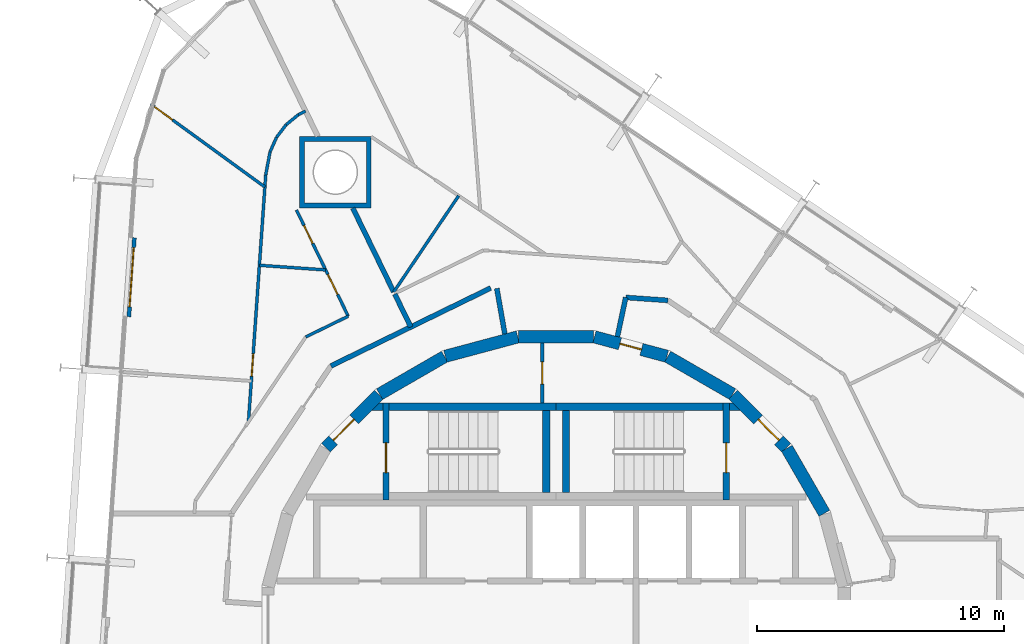
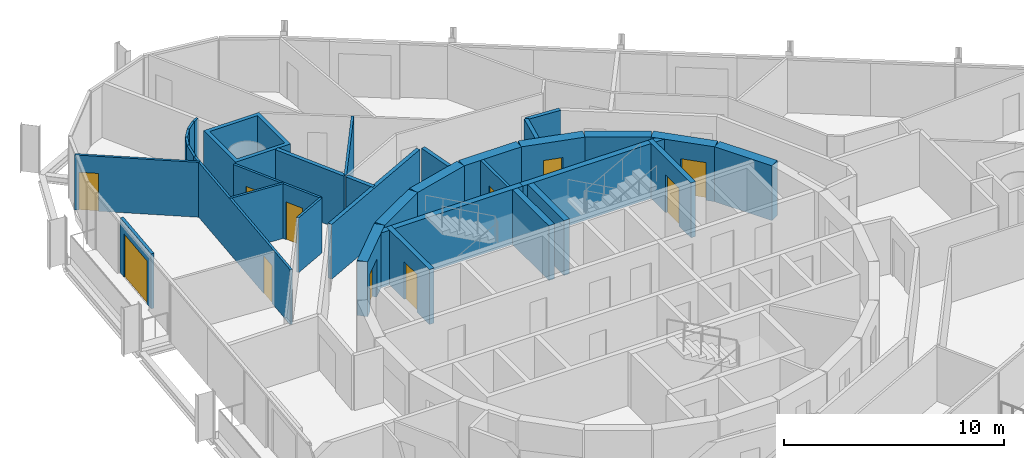
# One storey, part 15 of 17: 36 walls, 11 doors, 11 openings.
"""IFC4 building model written with IfcOpenShell, lengths in metres."""

from ifc_helpers import new_model, si_unit, direction, frame, frame_2d, origin, place, context, subcontext, project, spatial, polyline, rectangle, outline, extrude, material, layer, layer_set, type_object, element, fill, save


model = new_model("IFC4")

# Units and contexts
model_context = context("Model", 3, precision=1e-05, world=origin(), true_north=direction((0.0, 1.0)))
body_context = subcontext(model_context, "Body", "Model", "MODEL_VIEW")
ifc_project = project(units=[si_unit("LENGTHUNIT", "METRE"), si_unit("AREAUNIT", "SQUARE_METRE"), si_unit("VOLUMEUNIT", "CUBIC_METRE"), si_unit("PLANEANGLEUNIT", "RADIAN"), si_unit("MASSUNIT", "GRAM", prefix="KILO")], contexts=[model_context])

# Site, building, storey
site_placement = place(None, origin())
site = spatial("IfcSite", under=ifc_project, at=site_placement, CompositionType="ELEMENT")
building_placement = place(site_placement, origin())
building = spatial("IfcBuilding", under=site, at=building_placement, Name="Spindle Arch Residences", CompositionType="ELEMENT")
storey_placement = place(building_placement, frame((0.0, 0.0, 216.39990234375)))
storey = spatial("IfcBuildingStorey", under=building, at=storey_placement, Name="L55", CompositionType="ELEMENT", Elevation=216.39990234375)

# Wall
ifc_material_1 = material(Name="Concrete C50/60", Category="concrete")
ifc_layer_1 = layer(ifc_material_1, 0.5)
ifc_layer_set_1 = layer_set([ifc_layer_1], Name="Core outline wall 500")
wall_type_1 = type_object("IfcWallType", Name="Core outline wall 500", PredefinedType="SHEAR", material=ifc_layer_set_1)
wall_1_placement = place(storey_placement, frame((10.84521484375, 4.510498046875, 0.0), z_axis=(0.0, 0.0, 1.0), x_axis=(-0.500087131594, 0.865975092491, 0.0)))
element("IfcWall", 1, at=wall_1_placement, inside=storey, type_object=wall_type_1, Name="Core outline wall 8", PredefinedType="SHEAR", context=body_context, shape_type="SweptSolid", body=[
    extrude(rectangle(XDim=3.03271484375, YDim=0.5, at=frame_2d((1.516357421875, 0.0))), origin(), (0.0, 0.0, 1.0), 3.050048828125),
])

# Wall, opening, door
wall_2_placement = place(storey_placement, frame((9.30810546875, 7.163818359375, 0.0), z_axis=(0.0, 0.0, 1.0), x_axis=(-0.707106781187, 0.707106781187, 0.0)))
wall_2 = element("IfcWall", 2, at=wall_2_placement, inside=storey, type_object=wall_type_1, Name="Core outline wall 9", PredefinedType="SHEAR", context=body_context, shape_type="SweptSolid", body=[
    extrude(rectangle(XDim=3.032470703125, YDim=0.5, at=frame_2d((1.51611328125, 0.0))), origin(), (0.0, 0.0, 1.0), 3.050048828125),
])
opening_1_placement = place(wall_2_placement, frame((0.416259765625, 0.0, 0.0)))
opening_1 = element("IfcOpeningElement", 3, at=opening_1_placement, cuts=wall_2, Name="Opening R5C0-AD01", PredefinedType="OPENING", context=body_context, shape_type="SweptSolid", body=[
    extrude(rectangle(XDim=1.199951171875, YDim=2.10009765625, at=frame_2d((0.60009765625, 1.050048828125))), frame((0.0, 0.260009765625, 0.0), z_axis=(0.0, -1.0, 0.0), x_axis=(1.0, 0.0, 0.0)), (0.0, 0.0, 1.0), 0.52001953125),
])
ifc_material_2 = material(Name="Steel, fire-resisting door", Category="steel")
door_type_1 = type_object("IfcDoorType", Name="Stair airlock door 1200x2100", OperationType="SINGLE_SWING_LEFT", PredefinedType="DOOR", material=ifc_material_2)
door_1_placement = place(opening_1_placement, origin())
door_1 = element("IfcDoor", 4, at=door_1_placement, inside=storey, type_object=door_type_1, Name="Stair airlock door R5C0-AD01", OperationType="SINGLE_SWING_RIGHT", OverallHeight=2.10009765625, OverallWidth=1.199951171875, PredefinedType="DOOR", context=body_context, shape_type="SweptSolid", body=[
    extrude(rectangle(XDim=1.199951171875, YDim=2.10009765625, at=frame_2d((0.60009765625, 1.050048828125))), frame((0.0, 0.02490234375, 0.0), z_axis=(0.0, -1.0, 0.0), x_axis=(1.0, 0.0, 0.0)), (0.0, 0.0, 1.0), 0.050048828125),
])
fill(opening_1, door_1)

# Wall
wall_3_placement = place(storey_placement, frame((7.13671875, 9.32861328125, 0.0), z_axis=(0.0, 0.0, 1.0), x_axis=(-0.865975092491, 0.500087131594, 0.0)))
element("IfcWall", 5, at=wall_3_placement, inside=storey, type_object=wall_type_1, Name="Core outline wall 10", PredefinedType="SHEAR", context=body_context, shape_type="SweptSolid", body=[
    extrude(rectangle(XDim=3.03271484375, YDim=0.5, at=frame_2d((1.516357421875, 0.0))), origin(), (0.0, 0.0, 1.0), 3.050048828125),
])

# Wall, opening, door
wall_4_placement = place(storey_placement, frame((4.479248046875, 10.858154296875, 0.0), z_axis=(0.0, 0.0, 1.0), x_axis=(-0.965948410781, 0.258734743916, 0.0)))
wall_4 = element("IfcWall", 6, at=wall_4_placement, inside=storey, type_object=wall_type_1, Name="Core outline wall 11", PredefinedType="SHEAR", context=body_context, shape_type="SweptSolid", body=[
    extrude(rectangle(XDim=3.03271484375, YDim=0.5, at=frame_2d((1.516357421875, 0.0))), origin(), (0.0, 0.0, 1.0), 3.050048828125),
])
opening_2_placement = place(wall_4_placement, frame((1.066162109375, 0.0, 0.0)))
opening_2 = element("IfcOpeningElement", 7, at=opening_2_placement, cuts=wall_4, Name="Opening R5C0-WD10", PredefinedType="OPENING", context=body_context, shape_type="SweptSolid", body=[
    extrude(rectangle(XDim=0.89990234375, YDim=2.10009765625, at=frame_2d((0.449951171875, 1.050048828125))), frame((0.0, 0.260009765625, 0.0), z_axis=(0.0, -1.0, 0.0), x_axis=(1.0, 0.0, 0.0)), (0.0, 0.0, 1.0), 0.52001953125),
])
ifc_material_3 = material(Name="Steel, fire-resisting door", Category="steel")
door_type_2 = type_object("IfcDoorType", Name="Service room door 900x2100", OperationType="SINGLE_SWING_LEFT", PredefinedType="DOOR", material=ifc_material_3)
door_2_placement = place(opening_2_placement, origin())
door_2 = element("IfcDoor", 8, at=door_2_placement, inside=storey, type_object=door_type_2, Name="Service room door R5C0-WD10", OperationType="SINGLE_SWING_RIGHT", OverallHeight=2.10009765625, OverallWidth=0.89990234375, PredefinedType="DOOR", context=body_context, shape_type="SweptSolid", body=[
    extrude(rectangle(XDim=0.89990234375, YDim=2.10009765625, at=frame_2d((0.449951171875, 1.050048828125))), frame((0.0, 0.02490234375, 0.0), z_axis=(0.0, -1.0, 0.0), x_axis=(1.0, 0.0, 0.0)), (0.0, 0.0, 1.0), 0.050048828125),
])
fill(opening_2, door_2)

# Walls
for number, where, z_axis, x_axis, name in (
    (9, (1.516357421875, 11.647216796875, 0.0), (0.0, 0.0, 1.0), (-1.0, 0.0, 0.0), "Core outline wall 12"),
    (10, (-1.5498046875, 11.642822265625, 0.0), (0.0, 0.0, 1.0), (-0.965948410781, -0.258734743916, 0.0), "Core outline wall 13"),
    (11, (-4.510498046875, 10.84521484375, 0.0), (0.0, 0.0, 1.0), (-0.865975092491, -0.500087131594, 0.0), "Core outline wall 14"),
):
    element("IfcWall", number, at=place(storey_placement, frame(where, z_axis=z_axis, x_axis=x_axis)), inside=storey, type_object=wall_type_1, Name=name, PredefinedType="SHEAR", context=body_context, shape_type="SweptSolid", body=[
        extrude(rectangle(XDim=3.03271484375, YDim=0.5, at=frame_2d((1.516357421875, 0.0))), origin(), (0.0, 0.0, 1.0), 3.050048828125),
    ])

# Wall, opening, door
wall_5_placement = place(storey_placement, frame((-7.163818359375, 9.30810546875, 0.0), z_axis=(0.0, 0.0, 1.0), x_axis=(-0.707106781187, -0.707106781187, 0.0)))
wall_5 = element("IfcWall", 12, at=wall_5_placement, inside=storey, type_object=wall_type_1, Name="Core outline wall 15", PredefinedType="SHEAR", context=body_context, shape_type="SweptSolid", body=[
    extrude(rectangle(XDim=3.032470703125, YDim=0.5, at=frame_2d((1.51611328125, 0.0))), origin(), (0.0, 0.0, 1.0), 3.050048828125),
])
opening_3_placement = place(wall_5_placement, frame((1.416259765625, 0.0, 0.0)))
opening_3 = element("IfcOpeningElement", 13, at=opening_3_placement, cuts=wall_5, Name="Opening R5C0-AD02", PredefinedType="OPENING", context=body_context, shape_type="SweptSolid", body=[
    extrude(rectangle(XDim=1.199951171875, YDim=2.10009765625, at=frame_2d((0.60009765625, 1.050048828125))), frame((0.0, 0.260009765625, 0.0), z_axis=(0.0, -1.0, 0.0), x_axis=(1.0, 0.0, 0.0)), (0.0, 0.0, 1.0), 0.52001953125),
])
door_3_placement = place(opening_3_placement, origin())
door_3 = element("IfcDoor", 14, at=door_3_placement, inside=storey, type_object=door_type_1, Name="Stair airlock door R5C0-AD02", OperationType="SINGLE_SWING_RIGHT", OverallHeight=2.10009765625, OverallWidth=1.199951171875, PredefinedType="DOOR", context=body_context, shape_type="SweptSolid", body=[
    extrude(rectangle(XDim=1.199951171875, YDim=2.10009765625, at=frame_2d((0.60009765625, 1.050048828125))), frame((0.0, 0.02490234375, 0.0), z_axis=(0.0, -1.0, 0.0), x_axis=(1.0, 0.0, 0.0)), (0.0, 0.0, 1.0), 0.050048828125),
])
fill(opening_3, door_3)

# Walls
ifc_material_4 = material(Name="Calcium silicate block, plastered")
ifc_layer_2 = layer(ifc_material_4, 0.199951171875)
ifc_layer_set_2 = layer_set([ifc_layer_2], Name="Corridor wall 200")
wall_type_2 = type_object("IfcWallType", Name="Corridor wall 200", PredefinedType="STANDARD", material=ifc_layer_set_2)
wall_6_placement = place(storey_placement, frame((4.5166015625, 13.116943359375, 0.0), z_axis=(0.0, 0.0, 1.0), x_axis=(-0.997562153664, 0.069783591025, 0.0)))
element("IfcWall", 15, at=wall_6_placement, inside=storey, type_object=wall_type_2, Name="Corridor wall R5C0-W006", PredefinedType="STANDARD", context=body_context, shape_type="SweptSolid", body=[
    extrude(rectangle(XDim=1.707275390625, YDim=0.199951171875, at=frame_2d((0.853515625, 0.0))), origin(), (0.0, 0.0, 1.0), 3.050048828125),
])
wall_7_placement = place(storey_placement, frame((2.8134765625, 13.236083984375, 0.0), z_axis=(0.0, 0.0, 1.0), x_axis=(-0.207911086063, -0.978147729278, 0.0)))
element("IfcWall", 16, at=wall_7_placement, inside=storey, type_object=wall_type_2, Name="Corridor wall R5C0-W007", PredefinedType="STANDARD", context=body_context, shape_type="SweptSolid", body=[
    extrude(rectangle(XDim=1.6181640625, YDim=0.199951171875, at=frame_2d((0.80908203125, 0.0))), origin(), (0.0, 0.0, 1.0), 3.050048828125),
])
wall_8_placement = place(storey_placement, frame((-2.07373046875, 11.76123046875, 0.0), z_axis=(0.0, 0.0, 1.0), x_axis=(-0.173740587112, 0.984791454263, 0.0)))
element("IfcWall", 17, at=wall_8_placement, inside=storey, type_object=wall_type_2, Name="Corridor wall R5C0-W010", PredefinedType="STANDARD", context=body_context, shape_type="SweptSolid", body=[
    extrude(rectangle(XDim=1.867431640625, YDim=0.199951171875, at=frame_2d((0.93359375, 0.0))), origin(), (0.0, 0.0, 1.0), 3.050048828125),
])
wall_9_placement = place(storey_placement, frame((-2.64697265625, 13.617919921875, 0.0), z_axis=(0.0, 0.0, 1.0), x_axis=(-0.898796543751, -0.438366026218, 0.0)))
element("IfcWall", 18, at=wall_9_placement, inside=storey, type_object=wall_type_2, Name="Corridor wall R5C0-W011", PredefinedType="STANDARD", context=body_context, shape_type="SweptSolid", body=[
    extrude(rectangle(XDim=7.18115234375, YDim=0.199951171875, at=frame_2d((3.590576171875, 0.0))), origin(), (0.0, 0.0, 1.0), 3.050048828125),
])
ifc_material_5 = material(Name="Plasterboard on steel studs", Category="steel")
ifc_layer_3 = layer(ifc_material_5, 0.1201171875)
ifc_layer_set_3 = layer_set([ifc_layer_3], Name="Flat partition 120")
wall_type_3 = type_object("IfcWallType", Name="Flat partition 120", PredefinedType="PARTITIONING", material=ifc_layer_set_3)
wall_10_placement = place(storey_placement, frame((-3.939453125, 17.349853515625, 0.0), z_axis=(0.0, 0.0, 1.0), x_axis=(-0.559193216274, -0.829037361566, 0.0)))
element("IfcWall", 19, at=wall_10_placement, inside=storey, type_object=wall_type_3, Name="Flat partition R5C0-W055", PredefinedType="PARTITIONING", context=body_context, shape_type="SweptSolid", body=[
    extrude(rectangle(XDim=4.69384765625, YDim=0.1201171875, at=frame_2d((2.346923828125, 0.0))), origin(), (0.0, 0.0, 1.0), 3.050048828125),
])

# Wall, openings, doors
wall_11_placement = place(storey_placement, frame((-10.5, 16.774658203125, 0.0), z_axis=(0.0, 0.0, 1.0), x_axis=(0.438345136783, -0.898806731761, 0.0)))
wall_11 = element("IfcWall", 20, at=wall_11_placement, inside=storey, type_object=wall_type_3, Name="Flat partition R5C0-W057", PredefinedType="PARTITIONING", context=body_context, shape_type="SweptSolid", body=[
    extrude(rectangle(XDim=4.77978515625, YDim=0.1201171875, at=frame_2d((2.389892578125, 0.0))), origin(), (0.0, 0.0, 1.0), 3.050048828125),
])
opening_4_placement = place(wall_11_placement, frame((0.699951171875, 0.0, 0.0)))
opening_4 = element("IfcOpeningElement", 21, at=opening_4_placement, cuts=wall_11, Name="Opening R5C0-BD03", PredefinedType="OPENING", context=body_context, shape_type="SweptSolid", body=[
    extrude(rectangle(XDim=0.800048828125, YDim=2.10009765625, at=frame_2d((0.39990234375, 1.050048828125))), frame((0.0, 0.070068359375, 0.0), z_axis=(0.0, -1.0, 0.0), x_axis=(1.0, 0.0, 0.0)), (0.0, 0.0, 1.0), 0.14013671875),
])
opening_5_placement = place(wall_11_placement, frame((2.898681640625, 0.0, 0.0)))
opening_5 = element("IfcOpeningElement", 22, at=opening_5_placement, cuts=wall_11, Name="Opening R5C0-ID10", PredefinedType="OPENING", context=body_context, shape_type="SweptSolid", body=[
    extrude(rectangle(XDim=0.89990234375, YDim=2.10009765625, at=frame_2d((0.449951171875, 1.050048828125))), frame((0.0, 0.070068359375, 0.0), z_axis=(0.0, -1.0, 0.0), x_axis=(1.0, 0.0, 0.0)), (0.0, 0.0, 1.0), 0.14013671875),
])
ifc_material_6 = material(Name="Timber door set", Category="wood")
door_type_3 = type_object("IfcDoorType", Name="Bathroom door 800x2100", OperationType="NOTDEFINED", PredefinedType="DOOR", material=ifc_material_6)
door_4_placement = place(opening_4_placement, origin())
door_4 = element("IfcDoor", 23, at=door_4_placement, inside=storey, type_object=door_type_3, Name="Bathroom door R5C0-BD03", OperationType="SINGLE_SWING_LEFT", OverallHeight=2.10009765625, OverallWidth=0.800048828125, PredefinedType="DOOR", context=body_context, shape_type="SweptSolid", body=[
    extrude(rectangle(XDim=0.800048828125, YDim=2.10009765625, at=frame_2d((0.39990234375, 1.050048828125))), frame((0.0, 0.02490234375, 0.0), z_axis=(0.0, -1.0, 0.0), x_axis=(1.0, 0.0, 0.0)), (0.0, 0.0, 1.0), 0.050048828125),
])
fill(opening_4, door_4)
ifc_material_7 = material(Name="Timber door set", Category="wood")
door_type_4 = type_object("IfcDoorType", Name="Room door 900x2100", OperationType="NOTDEFINED", PredefinedType="DOOR", material=ifc_material_7)
door_5_placement = place(opening_5_placement, origin())
door_5 = element("IfcDoor", 24, at=door_5_placement, inside=storey, type_object=door_type_4, Name="Room door R5C0-ID10", OperationType="SINGLE_SWING_LEFT", OverallHeight=2.10009765625, OverallWidth=0.89990234375, PredefinedType="DOOR", context=body_context, shape_type="SweptSolid", body=[
    extrude(rectangle(XDim=0.89990234375, YDim=2.10009765625, at=frame_2d((0.449951171875, 1.050048828125))), frame((0.0, 0.02490234375, 0.0), z_axis=(0.0, -1.0, 0.0), x_axis=(1.0, 0.0, 0.0)), (0.0, 0.0, 1.0), 0.050048828125),
])
fill(opening_5, door_5)

# Wall
wall_12_placement = place(storey_placement, frame((-8.40478515625, 12.478515625, 0.0), z_axis=(0.0, 0.0, 1.0), x_axis=(-0.898784427692, -0.438390867307, 0.0)))
element("IfcWall", 25, at=wall_12_placement, inside=storey, type_object=wall_type_3, Name="Flat partition R5C0-W058", PredefinedType="PARTITIONING", context=body_context, shape_type="SweptSolid", body=[
    extrude(rectangle(XDim=1.908447265625, YDim=0.1201171875, at=frame_2d((0.9541015625, 0.0))), origin(), (0.0, 0.0, 1.0), 3.050048828125),
])

# Wall, opening, door
wall_13_placement = place(storey_placement, frame((-12.438720703125, 8.204345703125, 0.0), z_axis=(0.0, 0.0, 1.0), x_axis=(0.069750037523, 0.997564500303, 0.0)))
wall_13 = element("IfcWall", 26, at=wall_13_placement, inside=storey, type_object=wall_type_3, Name="Flat partition R5C0-W061", PredefinedType="PARTITIONING", context=body_context, shape_type="SweptSolid", body=[
    extrude(rectangle(XDim=10.01416015625, YDim=0.1201171875, at=frame_2d((5.007080078125, 0.0))), origin(), (0.0, 0.0, 1.0), 3.050048828125),
])
opening_6_placement = place(wall_13_placement, frame((1.859130859375, 0.0, 0.0)))
opening_6 = element("IfcOpeningElement", 27, at=opening_6_placement, cuts=wall_13, Name="Opening R5C0-ID12", PredefinedType="OPENING", context=body_context, shape_type="SweptSolid", body=[
    extrude(rectangle(XDim=0.89990234375, YDim=2.10009765625, at=frame_2d((0.449951171875, 1.050048828125))), frame((0.0, 0.070068359375, 0.0), z_axis=(0.0, -1.0, 0.0), x_axis=(1.0, 0.0, 0.0)), (0.0, 0.0, 1.0), 0.14013671875),
])
door_6_placement = place(opening_6_placement, origin())
door_6 = element("IfcDoor", 28, at=door_6_placement, inside=storey, type_object=door_type_4, Name="Room door R5C0-ID12", OperationType="SINGLE_SWING_LEFT", OverallHeight=2.10009765625, OverallWidth=0.89990234375, PredefinedType="DOOR", context=body_context, shape_type="SweptSolid", body=[
    extrude(rectangle(XDim=0.89990234375, YDim=2.10009765625, at=frame_2d((0.449951171875, 1.050048828125))), frame((0.0, 0.02490234375, 0.0), z_axis=(0.0, -1.0, 0.0), x_axis=(1.0, 0.0, 0.0)), (0.0, 0.0, 1.0), 0.050048828125),
])
fill(opening_6, door_6)

# Walls
wall_14_placement = place(storey_placement, frame((-11.740234375, 18.194091796875, 0.0), z_axis=(0.0, 0.0, 1.0), x_axis=(0.185144760846, 0.982711258474, 0.0)))
element("IfcWall", 29, at=wall_14_placement, inside=storey, type_object=wall_type_3, Name="Flat partition R5C0-W062", PredefinedType="PARTITIONING", context=body_context, shape_type="SweptSolid", body=[
    extrude(rectangle(XDim=0.94677734375, YDim=0.1201171875, at=frame_2d((0.473388671875, 0.0))), origin(), (0.0, 0.0, 1.0), 3.050048828125),
])
for number, where, z_axis, x_axis, name in (
    (30, (-11.56494140625, 19.12451171875, 0.0), (0.0, 0.0, 1.0), (0.406597190981, 0.913607532963, 0.0), "Flat partition R5C0-W063"),
    (31, (-11.303955078125, 19.7109375, 0.0), (0.0, 0.0, 1.0), (0.60667331935, 0.794951246045, 0.0), "Flat partition R5C0-W064"),
    (32, (-10.91455078125, 20.22119140625, 0.0), (0.0, 0.0, 1.0), (0.773278980213, 0.634065941965, 0.0), "Flat partition R5C0-W065"),
):
    element("IfcWall", number, at=place(storey_placement, frame(where, z_axis=z_axis, x_axis=x_axis)), inside=storey, type_object=wall_type_3, Name=name, PredefinedType="PARTITIONING", context=body_context, shape_type="SweptSolid", body=[
        extrude(rectangle(XDim=0.641845703125, YDim=0.1201171875, at=frame_2d((0.32080078125, 0.0))), origin(), (0.0, 0.0, 1.0), 3.050048828125),
    ])
wall_15_placement = place(storey_placement, frame((-10.418212890625, 20.628173828125, 0.0), z_axis=(0.0, 0.0, 1.0), x_axis=(0.898943795765, 0.438063981692, 0.0)))
element("IfcWall", 33, at=wall_15_placement, inside=storey, type_object=wall_type_3, Name="Flat partition R5C0-W066", PredefinedType="PARTITIONING", context=body_context, shape_type="SweptSolid", body=[
    extrude(rectangle(XDim=0.321044921875, YDim=0.1201171875, at=frame_2d((0.16064453125, 0.0))), origin(), (0.0, 0.0, 1.0), 3.050048828125),
])

# Wall, opening, door
wall_16_placement = place(storey_placement, frame((-16.39501953125, 21.060791015625, 0.0), z_axis=(0.0, 0.0, 1.0), x_axis=(0.808810002497, -0.58807004673, 0.0)))
wall_16 = element("IfcWall", 34, at=wall_16_placement, inside=storey, type_object=wall_type_3, Name="Flat partition R5C0-W067", PredefinedType="PARTITIONING", context=body_context, shape_type="SweptSolid", body=[
    extrude(rectangle(XDim=5.712646484375, YDim=0.1201171875, at=frame_2d((2.8564453125, 0.0))), origin(), (0.0, 0.0, 1.0), 3.050048828125),
])
opening_7_placement = place(wall_16_placement, frame((0.199951171875, 0.0, 0.0)))
opening_7 = element("IfcOpeningElement", 35, at=opening_7_placement, cuts=wall_16, Name="Opening R5C0-ID13", PredefinedType="OPENING", context=body_context, shape_type="SweptSolid", body=[
    extrude(rectangle(XDim=0.89990234375, YDim=2.10009765625, at=frame_2d((0.449951171875, 1.050048828125))), frame((0.0, 0.070068359375, 0.0), z_axis=(0.0, -1.0, 0.0), x_axis=(1.0, 0.0, 0.0)), (0.0, 0.0, 1.0), 0.14013671875),
])
door_7_placement = place(opening_7_placement, origin())
door_7 = element("IfcDoor", 36, at=door_7_placement, inside=storey, type_object=door_type_4, Name="Room door R5C0-ID13", OperationType="SINGLE_SWING_LEFT", OverallHeight=2.10009765625, OverallWidth=0.89990234375, PredefinedType="DOOR", context=body_context, shape_type="SweptSolid", body=[
    extrude(rectangle(XDim=0.89990234375, YDim=2.10009765625, at=frame_2d((0.449951171875, 1.050048828125))), frame((0.0, 0.02490234375, 0.0), z_axis=(0.0, -1.0, 0.0), x_axis=(1.0, 0.0, 0.0)), (0.0, 0.0, 1.0), 0.050048828125),
])
fill(opening_7, door_7)

# Walls
wall_17_placement = place(storey_placement, frame((-11.99609375, 14.536376953125, 0.0), z_axis=(0.0, 0.0, 1.0), x_axis=(0.997565991425, -0.069728708231, 0.0)))
element("IfcWall", 37, at=wall_17_placement, inside=storey, type_object=wall_type_3, Name="Flat partition R5C0-W068", PredefinedType="PARTITIONING", context=body_context, shape_type="SweptSolid", body=[
    extrude(rectangle(XDim=2.685546875, YDim=0.1201171875, at=frame_2d((1.3427734375, 0.0))), origin(), (0.0, 0.0, 1.0), 3.050048828125),
])
ifc_material_8 = material(Name="Calcium silicate block, plastered")
ifc_layer_4 = layer(ifc_material_8, 0.199951171875)
ifc_layer_set_4 = layer_set([ifc_layer_4], Name="Flat party wall 200")
wall_type_4 = type_object("IfcWallType", Name="Flat party wall 200", PredefinedType="STANDARD", material=ifc_layer_set_4)
wall_18_placement = place(storey_placement, frame((-6.5224609375, 13.373046875, 0.0), z_axis=(0.0, 0.0, 1.0), x_axis=(0.438277270821, -0.8988398266, 0.0)))
element("IfcWall", 38, at=wall_18_placement, inside=storey, type_object=wall_type_4, Name="Flat party wall R5C0-W030", PredefinedType="STANDARD", context=body_context, shape_type="SweptSolid", body=[
    extrude(rectangle(XDim=1.47900390625, YDim=0.199951171875, at=frame_2d((0.739501953125, 0.0))), origin(), (0.0, 0.0, 1.0), 3.050048828125),
])
wall_19_placement = place(storey_placement, frame((-8.219482421875, 16.8505859375, 0.0), z_axis=(0.0, 0.0, 1.0), x_axis=(0.438291091101, -0.898833087654, 0.0)))
element("IfcWall", 39, at=wall_19_placement, inside=storey, type_object=wall_type_4, Name="Flat party wall R5C0-W031", PredefinedType="STANDARD", context=body_context, shape_type="SweptSolid", body=[
    extrude(rectangle(XDim=3.7744140625, YDim=0.199951171875, at=frame_2d((1.88720703125, 0.0))), origin(), (0.0, 0.0, 1.0), 3.050048828125),
])

# Wall, opening, door
ifc_material_9 = material(Name="Non-combustible mineral wool insulated aluminium faced external wall (K0)", Category="aluminium")
ifc_layer_5 = layer(ifc_material_9, 0.159912109375)
ifc_layer_set_5 = layer_set([ifc_layer_5], Name="Insulated external wall panel 160")
wall_type_5 = type_object("IfcWallType", Name="Insulated external wall panel 160", PredefinedType="STANDARD", material=ifc_layer_set_5)
wall_20_placement = place(storey_placement, frame((-17.050537109375, 15.650390625, 0.0), z_axis=(0.0, 0.0, 1.0), x_axis=(-0.069734222855, -0.997565605944, 0.0)))
wall_20 = element("IfcWall", 40, at=wall_20_placement, inside=storey, type_object=wall_type_5, Name="External wall L55 bay 13", PredefinedType="STANDARD", context=body_context, shape_type="SweptSolid", body=[
    extrude(rectangle(XDim=3.199951171875, YDim=0.159912109375, at=frame_2d((1.60009765625, 0.0))), origin(), (0.0, 0.0, 1.0), 3.050048828125),
])
opening_8_placement = place(wall_20_placement, frame((0.39990234375, 0.0, 0.0)))
opening_8 = element("IfcOpeningElement", 41, at=opening_8_placement, cuts=wall_20, Name="Opening BD13", PredefinedType="OPENING", context=body_context, shape_type="SweptSolid", body=[
    extrude(rectangle(XDim=2.39990234375, YDim=2.39990234375, at=frame_2d((1.199951171875, 1.199951171875))), frame((0.0, 0.08984375, 0.0), z_axis=(0.0, -1.0, 0.0), x_axis=(1.0, 0.0, 0.0)), (0.0, 0.0, 1.0), 0.179931640625),
])
ifc_material_10 = material(Name="Bronze aluminium frame, tinted double glazing", Category="aluminium")
door_type_5 = type_object("IfcDoorType", Name="Sliding glazed balcony door 2400x2400", OperationType="DOUBLE_DOOR_SLIDING", PredefinedType="DOOR", material=ifc_material_10)
door_8_placement = place(opening_8_placement, origin())
door_8 = element("IfcDoor", 42, at=door_8_placement, inside=storey, type_object=door_type_5, Name="Balcony door BD13", OperationType="DOUBLE_DOOR_SLIDING", OverallHeight=2.39990234375, OverallWidth=2.39990234375, PredefinedType="DOOR", context=body_context, shape_type="SweptSolid", body=[
    extrude(rectangle(XDim=2.39990234375, YDim=2.39990234375, at=frame_2d((1.199951171875, 1.199951171875))), frame((0.0, 0.02490234375, 0.0), z_axis=(0.0, -1.0, 0.0), x_axis=(1.0, 0.0, 0.0)), (0.0, 0.0, 1.0), 0.050048828125),
])
fill(opening_8, door_8)

# Wall
ifc_material_11 = material(Name="Calcium silicate block, plastered")
ifc_layer_6 = layer(ifc_material_11, 0.199951171875)
ifc_layer_set_6 = layer_set([ifc_layer_6], Name="Mega-column casing wall 200")
wall_type_6 = type_object("IfcWallType", Name="Mega-column casing wall 200", PredefinedType="STANDARD", material=ifc_layer_set_6)
wall_21_placement = place(storey_placement, origin())
element("IfcWall", 43, at=wall_21_placement, inside=storey, type_object=wall_type_6, Name="Mega-column casing wall R5C0-WC01", PredefinedType="STANDARD", context=body_context, shape_type="SweptSolid", body=[
    extrude(outline(polyline([(-7.475830078125, 19.750732421875), (-7.475830078125, 16.850830078125), (-10.3759765625, 16.850830078125), (-10.3759765625, 19.750732421875), (-7.475830078125, 19.750732421875)]), holes=[polyline([(-10.17578125, 17.05078125), (-7.67578125, 17.05078125), (-7.67578125, 19.55078125), (-10.17578125, 19.55078125), (-10.17578125, 17.05078125)])]), origin(), (0.0, 0.0, 1.0), 3.050048828125),
])

# Wall, opening, door
ifc_material_12 = material(Name="Concrete C25/30", Category="concrete")
ifc_layer_7 = layer(ifc_material_12, 0.14990234375)
ifc_layer_set_7 = layer_set([ifc_layer_7], Name="Service room partition 150")
wall_type_7 = type_object("IfcWallType", Name="Service room partition 150", PredefinedType="PARTITIONING", material=ifc_layer_set_7)
wall_22_placement = place(storey_placement, frame((-0.5615234375, 8.969970703125, 0.0), z_axis=(0.0, 0.0, 1.0), x_axis=(0.0, 1.0, 0.0)))
wall_22 = element("IfcWall", 44, at=wall_22_placement, inside=storey, type_object=wall_type_7, Name="Core service room partition", PredefinedType="PARTITIONING", context=body_context, shape_type="SweptSolid", body=[
    extrude(rectangle(XDim=2.42724609375, YDim=0.14990234375, at=frame_2d((1.213623046875, 0.0))), origin(), (0.0, 0.0, 1.0), 3.050048828125),
])
opening_9_placement = place(wall_22_placement, frame((0.763671875, 0.0, 0.0)))
opening_9 = element("IfcOpeningElement", 45, at=opening_9_placement, cuts=wall_22, Name="Opening R5C0-WD05", PredefinedType="OPENING", context=body_context, shape_type="SweptSolid", body=[
    extrude(rectangle(XDim=0.89990234375, YDim=2.10009765625, at=frame_2d((0.449951171875, 1.050048828125))), frame((0.0, 0.0849609375, 0.0), z_axis=(0.0, -1.0, 0.0), x_axis=(1.0, 0.0, 0.0)), (0.0, 0.0, 1.0), 0.169921875),
])
door_9_placement = place(opening_9_placement, origin())
door_9 = element("IfcDoor", 46, at=door_9_placement, inside=storey, type_object=door_type_2, Name="Service room door R5C0-WD05", OperationType="SINGLE_SWING_LEFT", OverallHeight=2.10009765625, OverallWidth=0.89990234375, PredefinedType="DOOR", context=body_context, shape_type="SweptSolid", body=[
    extrude(rectangle(XDim=0.89990234375, YDim=2.10009765625, at=frame_2d((0.449951171875, 1.050048828125))), frame((0.0, 0.02490234375, 0.0), z_axis=(0.0, -1.0, 0.0), x_axis=(1.0, 0.0, 0.0)), (0.0, 0.0, 1.0), 0.050048828125),
])
fill(opening_9, door_9)

# Walls
ifc_material_13 = material(Name="Concrete C40/50", Category="concrete")
wall_type_8 = type_object("IfcWallType", Name="Stair airlock wall profile", PredefinedType="SHEAR", material=ifc_material_13)
wall_23_placement = place(storey_placement, origin())
element("IfcWall", 47, at=wall_23_placement, inside=storey, type_object=wall_type_8, Name="Stair ST-1 airlock wall N", PredefinedType="SHEAR", context=body_context, shape_type="SweptSolid", body=[
    extrude(outline(polyline([(7.4482421875, 8.669921875), (7.0, 8.669921875), (7.0, 8.969970703125), (7.148193359375, 8.969970703125), (7.4482421875, 8.669921875)])), origin(), (0.0, 0.0, 1.0), 3.050048828125),
])
wall_24_placement = place(storey_placement, origin())
element("IfcWall", 48, at=wall_24_placement, inside=storey, type_object=wall_type_8, Name="Stair ST-2 airlock wall N", PredefinedType="SHEAR", context=body_context, shape_type="SweptSolid", body=[
    extrude(outline(polyline([(-7.148193359375, 8.969970703125), (-7.0, 8.969970703125), (-7.0, 8.669921875), (-7.4482421875, 8.669921875), (-7.148193359375, 8.969970703125)])), origin(), (0.0, 0.0, 1.0), 3.050048828125),
])

# Wall, opening, door
ifc_material_14 = material(Name="Concrete C50/60", Category="concrete")
ifc_layer_8 = layer(ifc_material_14, 0.25)
ifc_layer_set_8 = layer_set([ifc_layer_8], Name="Stair enclosure wall 250")
wall_type_9 = type_object("IfcWallType", Name="Stair enclosure wall 250", PredefinedType="SHEAR", material=ifc_layer_set_8)
wall_25_placement = place(storey_placement, frame((6.875, 5.050048828125, 0.0), z_axis=(0.0, 0.0, 1.0), x_axis=(0.0, 1.0, 0.0)))
wall_25 = element("IfcWall", 49, at=wall_25_placement, inside=storey, type_object=wall_type_9, Name="Stair ST-1 door wall", PredefinedType="SHEAR", context=body_context, shape_type="SweptSolid", body=[
    extrude(rectangle(XDim=3.919921875, YDim=0.25, at=frame_2d((1.9599609375, 0.0))), origin(), (0.0, 0.0, 1.0), 3.050048828125),
])
opening_10_placement = place(wall_25_placement, frame((1.110107421875, 0.0, 0.0)))
opening_10 = element("IfcOpeningElement", 50, at=opening_10_placement, cuts=wall_25, Name="Opening R5C0-SD01", PredefinedType="OPENING", context=body_context, shape_type="SweptSolid", body=[
    extrude(rectangle(XDim=1.199951171875, YDim=2.10009765625, at=frame_2d((0.60009765625, 1.050048828125))), frame((0.0, 0.135009765625, 0.0), z_axis=(0.0, -1.0, 0.0), x_axis=(1.0, 0.0, 0.0)), (0.0, 0.0, 1.0), 0.27001953125),
])
ifc_material_15 = material(Name="Steel, fire-resisting door", Category="steel")
door_type_6 = type_object("IfcDoorType", Name="Stair door 1200x2100", OperationType="SINGLE_SWING_RIGHT", PredefinedType="DOOR", material=ifc_material_15)
door_10_placement = place(opening_10_placement, origin())
door_10 = element("IfcDoor", 51, at=door_10_placement, inside=storey, type_object=door_type_6, Name="Stair door R5C0-SD01", OperationType="SINGLE_SWING_LEFT", OverallHeight=2.10009765625, OverallWidth=1.199951171875, PredefinedType="DOOR", context=body_context, shape_type="SweptSolid", body=[
    extrude(rectangle(XDim=1.199951171875, YDim=2.10009765625, at=frame_2d((0.60009765625, 1.050048828125))), frame((0.0, 0.02490234375, 0.0), z_axis=(0.0, -1.0, 0.0), x_axis=(1.0, 0.0, 0.0)), (0.0, 0.0, 1.0), 0.050048828125),
])
fill(opening_10, door_10)

wall_26_placement = place(storey_placement, frame((-6.875, 8.969970703125, 0.0), z_axis=(0.0, 0.0, 1.0), x_axis=(0.0, -1.0, 0.0)))
wall_26 = element("IfcWall", 52, at=wall_26_placement, inside=storey, type_object=wall_type_9, Name="Stair ST-2 door wall", PredefinedType="SHEAR", context=body_context, shape_type="SweptSolid", body=[
    extrude(rectangle(XDim=3.919921875, YDim=0.25, at=frame_2d((1.9599609375, 0.0))), origin(), (0.0, 0.0, 1.0), 3.050048828125),
])
opening_11_placement = place(wall_26_placement, frame((1.610107421875, 0.0, 0.0)))
opening_11 = element("IfcOpeningElement", 53, at=opening_11_placement, cuts=wall_26, Name="Opening R5C0-SD02", PredefinedType="OPENING", context=body_context, shape_type="SweptSolid", body=[
    extrude(rectangle(XDim=1.199951171875, YDim=2.10009765625, at=frame_2d((0.60009765625, 1.050048828125))), frame((0.0, 0.135009765625, 0.0), z_axis=(0.0, -1.0, 0.0), x_axis=(1.0, 0.0, 0.0)), (0.0, 0.0, 1.0), 0.27001953125),
])
door_11_placement = place(opening_11_placement, origin())
door_11 = element("IfcDoor", 54, at=door_11_placement, inside=storey, type_object=door_type_6, Name="Stair door R5C0-SD02", OperationType="SINGLE_SWING_LEFT", OverallHeight=2.10009765625, OverallWidth=1.199951171875, PredefinedType="DOOR", context=body_context, shape_type="SweptSolid", body=[
    extrude(rectangle(XDim=1.199951171875, YDim=2.10009765625, at=frame_2d((0.60009765625, 1.050048828125))), frame((0.0, 0.02490234375, 0.0), z_axis=(0.0, -1.0, 0.0), x_axis=(1.0, 0.0, 0.0)), (0.0, 0.0, 1.0), 0.050048828125),
])
fill(opening_11, door_11)

# Walls
ifc_material_16 = material(Name="Concrete C50/60", Category="concrete")
ifc_layer_9 = layer(ifc_material_16, 0.300048828125)
ifc_layer_set_9 = layer_set([ifc_layer_9], Name="Stair enclosure wall 300")
wall_type_10 = type_object("IfcWallType", Name="Stair enclosure wall 300", PredefinedType="SHEAR", material=ifc_layer_set_9)
wall_27_placement = place(storey_placement, frame((0.0, 8.820068359375, 0.0), z_axis=(0.0, 0.0, 1.0), x_axis=(1.0, 0.0, 0.0)))
element("IfcWall", 55, at=wall_27_placement, inside=storey, type_object=wall_type_10, Name="Stair ST-1 enclosure wall N", PredefinedType="SHEAR", context=body_context, shape_type="SweptSolid", body=[
    extrude(rectangle(XDim=6.75, YDim=0.300048828125, at=frame_2d((3.375, 0.0))), origin(), (0.0, 0.0, 1.0), 3.050048828125),
])
wall_28_placement = place(storey_placement, frame((0.39990234375, 5.35009765625, 0.0), z_axis=(0.0, 0.0, 1.0), x_axis=(0.0, 1.0, 0.0)))
element("IfcWall", 56, at=wall_28_placement, inside=storey, type_object=wall_type_10, Name="Stair ST-1 enclosure wall F", PredefinedType="SHEAR", context=body_context, shape_type="SweptSolid", body=[
    extrude(rectangle(XDim=3.31982421875, YDim=0.300048828125, at=frame_2d((1.659912109375, 0.0))), origin(), (0.0, 0.0, 1.0), 3.050048828125),
])
wall_29_placement = place(storey_placement, frame((-6.75, 8.820068359375, 0.0), z_axis=(0.0, 0.0, 1.0), x_axis=(1.0, 0.0, 0.0)))
element("IfcWall", 57, at=wall_29_placement, inside=storey, type_object=wall_type_10, Name="Stair ST-2 enclosure wall N", PredefinedType="SHEAR", context=body_context, shape_type="SweptSolid", body=[
    extrude(rectangle(XDim=6.75, YDim=0.300048828125, at=frame_2d((3.375, 0.0))), origin(), (0.0, 0.0, 1.0), 3.050048828125),
])
wall_30_placement = place(storey_placement, frame((-0.39990234375, 5.35009765625, 0.0), z_axis=(0.0, 0.0, 1.0), x_axis=(0.0, 1.0, 0.0)))
element("IfcWall", 58, at=wall_30_placement, inside=storey, type_object=wall_type_10, Name="Stair ST-2 enclosure wall F", PredefinedType="SHEAR", context=body_context, shape_type="SweptSolid", body=[
    extrude(rectangle(XDim=3.31982421875, YDim=0.300048828125, at=frame_2d((1.659912109375, 0.0))), origin(), (0.0, 0.0, 1.0), 3.050048828125),
])

save(model, "model.ifc")
